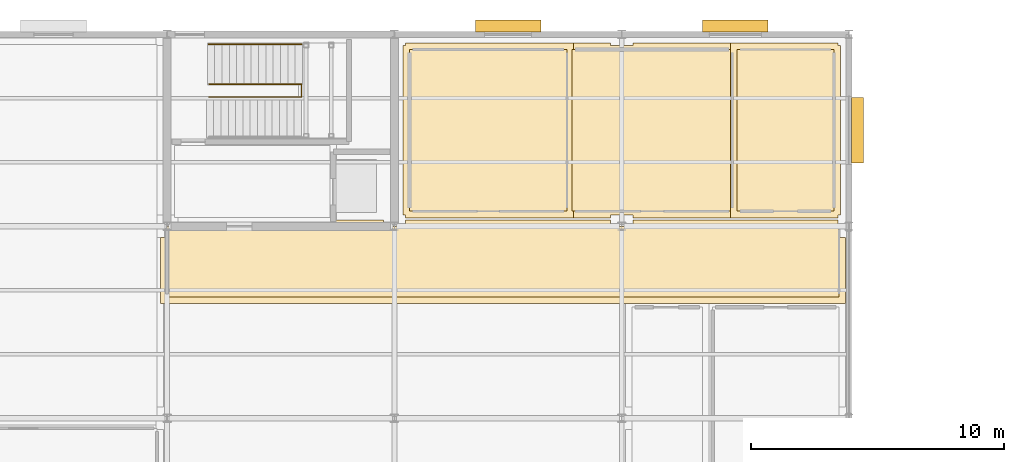
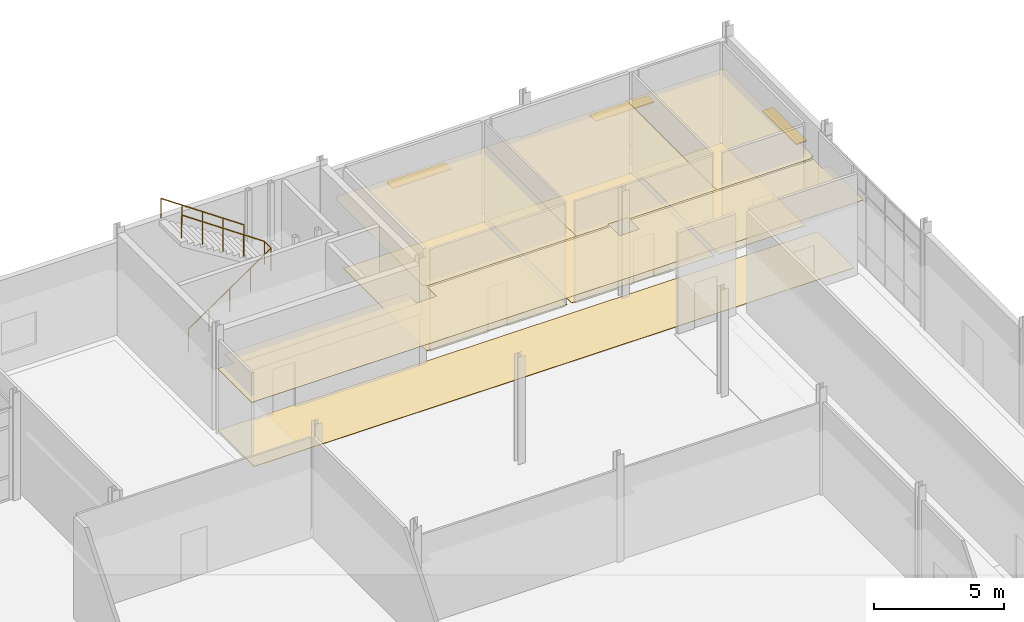
# One storey, part 160 of 161: 8 coverings, 3 shading devices, 2 railings.
"""IFC4 building model written with IfcOpenShell, lengths in metres."""

from ifc_helpers import new_model, si_unit, direction, frame, origin, origin_2d, place, context, subcontext, project, spatial, polyline, rectangle, circle, outline, extrude, material, layer, layer_set, type_object, element, save


model = new_model("IFC4")

# Units and contexts
model_context = context("Model", 3, precision=1e-05, world=origin(), true_north=direction((0.0, 1.0)))
body_context = subcontext(model_context, "Body", "Model", "MODEL_VIEW")
ifc_project = project(units=[si_unit("LENGTHUNIT", "METRE"), si_unit("AREAUNIT", "SQUARE_METRE"), si_unit("VOLUMEUNIT", "CUBIC_METRE"), si_unit("PLANEANGLEUNIT", "RADIAN"), si_unit("MASSUNIT", "GRAM", prefix="KILO")], contexts=[model_context])

# Site, building, storey
site_placement = place(None, origin())
site = spatial("IfcSite", under=ifc_project, at=site_placement, CompositionType="ELEMENT")
building_placement = place(site_placement, origin())
building = spatial("IfcBuilding", under=site, at=building_placement, Name="Caisbarro Railhouse Central Library", CompositionType="ELEMENT")
storey_placement = place(building_placement, origin())
storey = spatial("IfcBuildingStorey", under=building, at=storey_placement, Name="L00", CompositionType="ELEMENT", Elevation=0.0)

# Coverings
ifc_material_1 = material(Name="Perforated mineral-fibre acoustic ceiling tile")
ifc_layer_1 = layer(ifc_material_1, 0.01806640625, Name="Perforated mineral-fibre acoustic ceiling tile")
ifc_layer_set_1 = layer_set([ifc_layer_1], Name="Perforated mineral-fibre acoustic ceiling tile")
covering_type_1 = type_object("IfcCoveringType", Name="COV-CL01", PredefinedType="CEILING", material=ifc_layer_set_1)
covering_1_placement = place(storey_placement, frame((0.0, 0.0, 3.25)))
element("IfcCovering", 1, at=covering_1_placement, inside=storey, type_object=covering_type_1, Name="CL01 acoustic ceiling Atrium North WC Corridor L00", PredefinedType="CEILING", context=body_context, shape_type="SweptSolid", body=[
    extrude(outline(polyline([(134.56005859375, 106.659912109375), (134.56005859375, 105.9599609375), (135.43994140625, 105.9599609375), (135.43994140625, 106.659912109375), (143.56005859375, 106.659912109375), (143.56005859375, 105.9599609375), (144.43994140625, 105.9599609375), (144.43994140625, 106.659912109375), (152.56005859375, 106.659912109375), (152.56005859375, 105.9599609375), (152.860107421875, 105.9599609375), (152.860107421875, 103.340087890625), (125.739990234375, 103.340087890625), (125.739990234375, 105.9599609375), (126.43994140625, 105.9599609375), (126.43994140625, 106.659912109375), (134.56005859375, 106.659912109375)])), origin(), (0.0, 0.0, 1.0), 0.01806640625),
])
covering_2_placement = place(storey_placement, frame((0.0, 0.0, 3.25)))
element("IfcCovering", 2, at=covering_2_placement, inside=storey, type_object=covering_type_1, Name="CL01 acoustic ceiling Male WC L00-V4", PredefinedType="CEILING", context=body_context, shape_type="SweptSolid", body=[
    extrude(outline(polyline([(142.095947265625, 113.659912109375), (142.095947265625, 106.739990234375), (135.43994140625, 106.739990234375), (135.43994140625, 106.840087890625), (135.340087890625, 106.840087890625), (135.340087890625, 113.56005859375), (135.43994140625, 113.56005859375), (135.43994140625, 113.659912109375), (142.095947265625, 113.659912109375)])), origin(), (0.0, 0.0, 1.0), 0.01806640625),
])
covering_3_placement = place(storey_placement, frame((0.0, 0.0, 3.25)))
element("IfcCovering", 3, at=covering_3_placement, inside=storey, type_object=covering_type_1, Name="CL01 acoustic ceiling Female WC L00-V4", PredefinedType="CEILING", context=body_context, shape_type="SweptSolid", body=[
    extrude(outline(polyline([(143.56005859375, 113.659912109375), (143.56005859375, 113.56005859375), (144.43994140625, 113.56005859375), (144.43994140625, 113.659912109375), (148.632080078125, 113.659912109375), (148.632080078125, 106.739990234375), (144.43994140625, 106.739990234375), (144.43994140625, 106.840087890625), (143.56005859375, 106.840087890625), (143.56005859375, 106.739990234375), (141.77587890625, 106.739990234375), (141.77587890625, 113.659912109375), (143.56005859375, 113.659912109375)])), origin(), (0.0, 0.0, 1.0), 0.01806640625),
])
covering_4_placement = place(storey_placement, frame((0.0, 0.0, 3.25)))
element("IfcCovering", 4, at=covering_4_placement, inside=storey, type_object=covering_type_1, Name="CL01 acoustic ceiling Accessible WC L00-V4", PredefinedType="CEILING", context=body_context, shape_type="SweptSolid", body=[
    extrude(outline(polyline([(152.56005859375, 113.659912109375), (152.56005859375, 113.56005859375), (152.659912109375, 113.56005859375), (152.659912109375, 106.840087890625), (152.56005859375, 106.840087890625), (152.56005859375, 106.739990234375), (148.31201171875, 106.739990234375), (148.31201171875, 113.659912109375), (152.56005859375, 113.659912109375)])), origin(), (0.0, 0.0, 1.0), 0.01806640625),
])
ifc_material_2 = material(Name="Polished cementitious terrazzo flooring")
ifc_layer_2 = layer(ifc_material_2, 0.02197265625, Name="Polished cementitious terrazzo flooring")
ifc_layer_set_2 = layer_set([ifc_layer_2], Name="Polished cementitious terrazzo flooring")
covering_type_2 = type_object("IfcCoveringType", Name="COV-FL01", PredefinedType="FLOORING", material=ifc_layer_set_2)
covering_5_placement = place(storey_placement, origin())
element("IfcCovering", 5, at=covering_5_placement, inside=storey, type_object=covering_type_2, Name="FL01 flooring Atrium North WC Corridor L00", PredefinedType="FLOORING", context=body_context, shape_type="SweptSolid", body=[
    extrude(outline(polyline([(126.0, 103.60009765625), (152.60009765625, 103.60009765625), (152.60009765625, 106.39990234375), (126.0, 106.39990234375), (126.0, 103.60009765625)])), origin(), (0.0, 0.0, 1.0), 0.02197265625),
])
ifc_material_3 = material(Name="Heavy-duty acoustic linoleum flooring")
ifc_layer_3 = layer(ifc_material_3, 0.011962890625, Name="Heavy-duty acoustic linoleum flooring")
ifc_layer_set_3 = layer_set([ifc_layer_3], Name="Heavy-duty acoustic linoleum flooring")
covering_type_3 = type_object("IfcCoveringType", Name="COV-FL02", PredefinedType="FLOORING", material=ifc_layer_set_3)
covering_6_placement = place(storey_placement, origin())
element("IfcCovering", 6, at=covering_6_placement, inside=storey, type_object=covering_type_3, Name="FL02 flooring Male WC L00-V4", PredefinedType="FLOORING", context=body_context, shape_type="SweptSolid", body=[
    extrude(outline(polyline([(135.60009765625, 107.0), (141.8359375, 107.0), (141.8359375, 113.39990234375), (135.60009765625, 113.39990234375), (135.60009765625, 107.0)])), origin(), (0.0, 0.0, 1.0), 0.011962890625),
])
covering_7_placement = place(storey_placement, origin())
element("IfcCovering", 7, at=covering_7_placement, inside=storey, type_object=covering_type_3, Name="FL02 flooring Female WC L00-V4", PredefinedType="FLOORING", context=body_context, shape_type="SweptSolid", body=[
    extrude(outline(polyline([(142.035888671875, 107.0), (148.3720703125, 107.0), (148.3720703125, 113.39990234375), (142.035888671875, 113.39990234375), (142.035888671875, 107.0)])), origin(), (0.0, 0.0, 1.0), 0.011962890625),
])
covering_8_placement = place(storey_placement, origin())
element("IfcCovering", 8, at=covering_8_placement, inside=storey, type_object=covering_type_3, Name="FL02 flooring Accessible WC L00-V4", PredefinedType="FLOORING", context=body_context, shape_type="SweptSolid", body=[
    extrude(outline(polyline([(148.572021484375, 107.0), (152.39990234375, 107.0), (152.39990234375, 113.39990234375), (148.572021484375, 113.39990234375), (148.572021484375, 107.0)])), origin(), (0.0, 0.0, 1.0), 0.011962890625),
])

# Railings
ifc_material_4 = material(Name="Brushed stainless steel Grade 316", Category="steel")
railing_type_1 = type_object("IfcRailingType", Name="RLG-STR092", PredefinedType="HANDRAIL", material=ifc_material_4)
railing_1_placement = place(storey_placement, frame((131.320068359375, 113.610107421875, 2.52001953125)))
element("IfcRailing", 9, at=railing_1_placement, inside=storey, type_object=railing_type_1, Name="Stair ST-03 Outer Handrail F2 L00", PredefinedType="HANDRAIL", context=body_context, shape_type="SweptSolid", body=[
    extrude(circle(Radius=0.02392578125, at=origin_2d()), frame((0.0, 0.0, 0.89599609375), z_axis=(-0.824379387844, 0.0, 0.566037653251), x_axis=(0.0, -1.0, 0.0)), (0.0, 0.0, 1.0), 4.4521484375),
    extrude(circle(Radius=0.02099609375, at=origin_2d()), origin(), (0.0, 0.0, 1.0), 0.871826171875),
    extrude(circle(Radius=0.02099609375, at=origin_2d()), frame((-0.91748046875, 0.0, 0.6298828125)), (0.0, 0.0, 1.0), 0.871826171875),
    extrude(circle(Radius=0.02099609375, at=origin_2d()), frame((-1.8349609375, 0.0, 1.260009765625)), (0.0, 0.0, 1.0), 0.871826171875),
    extrude(circle(Radius=0.02099609375, at=origin_2d()), frame((-2.752685546875, 0.0, 1.89013671875)), (0.0, 0.0, 1.0), 0.871826171875),
    extrude(circle(Radius=0.02099609375, at=origin_2d()), frame((-3.670166015625, 0.0, 2.52001953125)), (0.0, 0.0, 1.0), 0.871826171875),
])
railing_type_2 = type_object("IfcRailingType", Name="RLG-STR110", PredefinedType="GUARDRAIL", material=ifc_material_4)
railing_2_placement = place(storey_placement, frame((127.64990234375, 111.52001953125, 0.0)))
element("IfcRailing", 10, at=railing_2_placement, inside=storey, type_object=railing_type_2, Name="Stair ST-03 Inner Well Guardrail L00", PredefinedType="GUARDRAIL", context=body_context, shape_type="SweptSolid", body=[
    extrude(circle(Radius=0.02392578125, at=origin_2d()), frame((0.0, 0.0, 1.076171875), z_axis=(0.824379387844, 0.0, 0.566037653251), x_axis=(0.0, 1.0, 0.0)), (0.0, 0.0, 1.0), 4.4521484375),
    extrude(circle(Radius=0.02392578125, at=origin_2d()), frame((3.670166015625, 0.0, 3.59619140625), z_axis=(0.0, 1.0, 0.0), x_axis=(-1.0, 0.0, 0.0)), (0.0, 0.0, 1.0), 0.510009765625),
    extrude(circle(Radius=0.02392578125, at=origin_2d()), frame((3.670166015625, 0.510009765625, 3.59619140625), z_axis=(-0.824379387844, 0.0, 0.566037653251), x_axis=(0.0, -1.0, 0.0)), (0.0, 0.0, 1.0), 4.4521484375),
    extrude(circle(Radius=0.02099609375, at=origin_2d()), origin(), (0.0, 0.0, 1.0), 1.052001953125),
    extrude(circle(Radius=0.02099609375, at=origin_2d()), frame((0.91748046875, 0.0, 0.6298828125)), (0.0, 0.0, 1.0), 1.052001953125),
    extrude(circle(Radius=0.02099609375, at=origin_2d()), frame((1.8349609375, 0.0, 1.260009765625)), (0.0, 0.0, 1.0), 1.052001953125),
    extrude(circle(Radius=0.02099609375, at=origin_2d()), frame((2.752685546875, 0.0, 1.89013671875)), (0.0, 0.0, 1.0), 1.052001953125),
    extrude(circle(Radius=0.02099609375, at=origin_2d()), frame((3.670166015625, 0.0, 2.52001953125)), (0.0, 0.0, 1.0), 1.052001953125),
    extrude(circle(Radius=0.02099609375, at=origin_2d()), frame((3.670166015625, 0.510009765625, 2.52001953125)), (0.0, 0.0, 1.0), 1.052001953125),
    extrude(circle(Radius=0.02099609375, at=origin_2d()), frame((2.752685546875, 0.510009765625, 3.14990234375)), (0.0, 0.0, 1.0), 1.052001953125),
    extrude(circle(Radius=0.02099609375, at=origin_2d()), frame((1.8349609375, 0.510009765625, 3.780029296875)), (0.0, 0.0, 1.0), 1.052001953125),
    extrude(circle(Radius=0.02099609375, at=origin_2d()), frame((0.91748046875, 0.510009765625, 4.41015625)), (0.0, 0.0, 1.0), 1.052001953125),
    extrude(circle(Radius=0.02099609375, at=origin_2d()), frame((0.0, 0.510009765625, 5.0400390625)), (0.0, 0.0, 1.0), 1.052001953125),
])

# Shading devices
ifc_material_5 = material(Name="Anodised architectural aluminium", Category="aluminium")
ifc_layer_4 = layer(ifc_material_5, 0.050048828125, Name="Anodised architectural aluminium")
ifc_layer_set_4 = layer_set([ifc_layer_4], Name="Anodised architectural aluminium")
shading_device_type = type_object("IfcShadingDeviceType", Name="SHD-JAL01", PredefinedType="JALOUSIE", material=ifc_layer_set_4)
for number, where, z_axis, x_axis, name in (
    (11, (139.5, 114.330078125, 2.384765625), (0.0, 0.0, 1.0), (1.0, 0.0, 0.0), "JL01 solar brise-soleil L00-25"),
    (12, (148.5, 114.330078125, 2.384765625), (0.0, 0.0, 1.0), (1.0, 0.0, 0.0), "JL01 solar brise-soleil L00-26"),
    (13, (153.330078125, 110.199951171875, 2.384765625), (0.0, 0.0, 1.0), (0.0, 1.0, 0.0), "JL01 solar brise-soleil L00-27"),
):
    element("IfcShadingDevice", number, at=place(storey_placement, frame(where, z_axis=z_axis, x_axis=x_axis)), inside=storey, type_object=shading_device_type, Name=name, PredefinedType="JALOUSIE", context=body_context, shape_type="SweptSolid", body=[
        extrude(rectangle(XDim=2.60009765625, YDim=0.47998046875, at=origin_2d()), origin(), (0.0, 0.0, 1.0), 0.050048828125),
    ])

save(model, "model.ifc")
